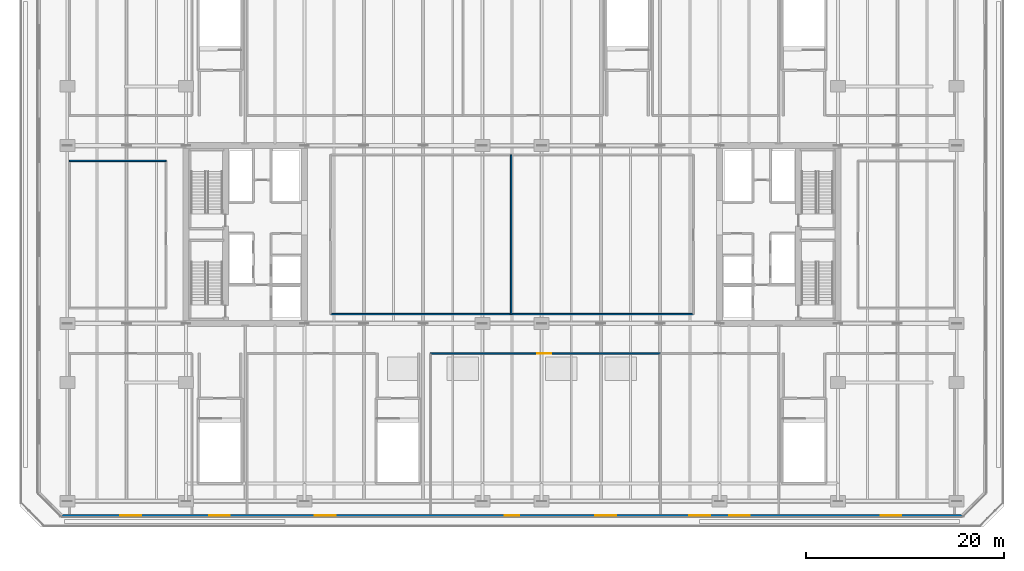
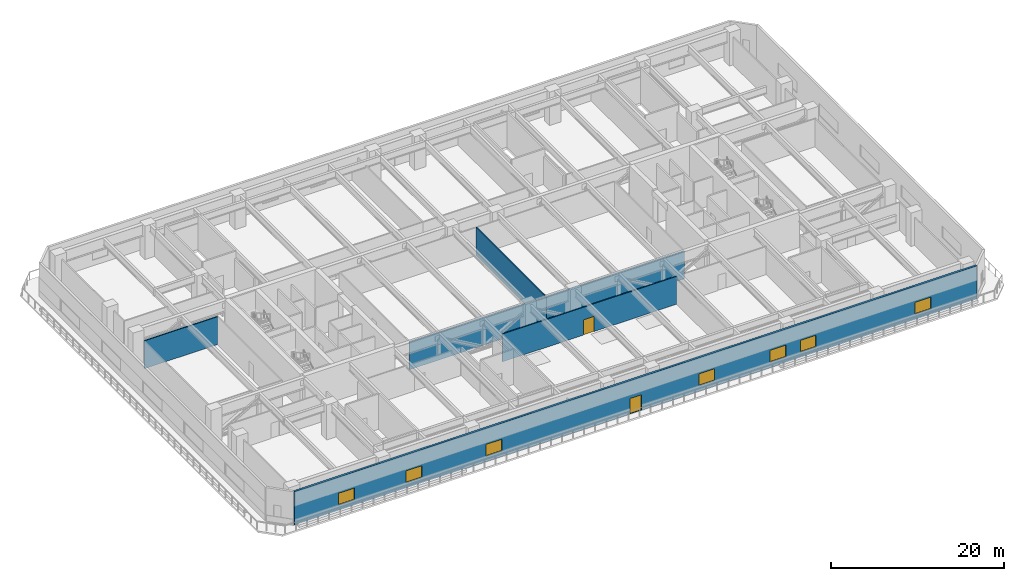
# One storey, part 11 of 25: 7 windows, 6 walls, 2 doors, 9 openings.
"""IFC4 building model written with IfcOpenShell, lengths in metres."""

from ifc_helpers import new_model, si_unit, direction, frame, frame_2d, origin, place, context, subcontext, project, spatial, rectangle, extrude, material, layer, layer_set, type_object, element, fill, save


model = new_model("IFC4")

# Units and contexts
model_context = context("Model", 3, precision=1e-05, world=origin(), true_north=direction((0.0, 1.0)))
body_context = subcontext(model_context, "Body", "Model", "MODEL_VIEW")
ifc_project = project(units=[si_unit("LENGTHUNIT", "METRE"), si_unit("AREAUNIT", "SQUARE_METRE"), si_unit("VOLUMEUNIT", "CUBIC_METRE"), si_unit("PLANEANGLEUNIT", "RADIAN"), si_unit("MASSUNIT", "GRAM", prefix="KILO")], contexts=[model_context])

# Site, building, storey
site_placement = place(None, origin())
site = spatial("IfcSite", under=ifc_project, at=site_placement, CompositionType="ELEMENT")
building_placement = place(site_placement, origin())
building = spatial("IfcBuilding", under=site, at=building_placement, Name="Tanjung Sevakor Pilgrim Tower", CompositionType="ELEMENT")
storey_placement = place(building_placement, frame((0.0, 0.0, 24.090087890625)))
storey = spatial("IfcBuildingStorey", under=building, at=storey_placement, Name="L06", CompositionType="ELEMENT", Elevation=24.090087890625)

# Wall, opening, door
ifc_material_1 = material(Name="Concrete C40/50", Category="concrete")
ifc_layer_1 = layer(ifc_material_1, 0.14990234375)
ifc_layer_set_1 = layer_set([ifc_layer_1], Name="WT-COMP-150")
wall_type_1 = type_object("IfcWallType", Name="WT-COMP-150", PredefinedType="SOLIDWALL", material=ifc_layer_set_1)
wall_1_placement = place(storey_placement, frame((48.75, 21.550048828125, 0.0), z_axis=(0.0, 0.0, 1.0), x_axis=(1.0, 0.0, 0.0)))
wall_1 = element("IfcWall", 1, at=wall_1_placement, inside=storey, type_object=wall_type_1, Name="L06 Partition IW-L06-041", PredefinedType="SOLIDWALL", context=body_context, shape_type="SweptSolid", body=[
    extrude(rectangle(XDim=23.300048828125, YDim=0.14990234375, at=frame_2d((11.64990234375, 0.0))), origin(), (0.0, 0.0, 1.0), 3.929931640625),
])
opening_1_placement = place(wall_1_placement, frame((10.800048828125, 0.0, 0.0)))
opening_1 = element("IfcOpeningElement", 2, at=opening_1_placement, cuts=wall_1, Name="Opening ID-HD1", PredefinedType="OPENING", context=body_context, shape_type="SweptSolid", body=[
    extrude(rectangle(XDim=1.39990234375, YDim=2.14990234375, at=frame_2d((0.699951171875, 1.074951171875))), frame((0.0, 0.0849609375, 0.0), z_axis=(0.0, -1.0, 0.0), x_axis=(1.0, 0.0, 0.0)), (0.0, 0.0, 1.0), 0.169921875),
])
ifc_material_2 = material(Name="Hardwood Timber", Category="wood")
door_type_1 = type_object("IfcDoorType", Name="DT-INT-1400", OperationType="DOUBLE_DOOR_SINGLE_SWING", PredefinedType="DOOR", material=ifc_material_2)
door_1_placement = place(opening_1_placement, origin())
door_1 = element("IfcDoor", 3, at=door_1_placement, inside=storey, type_object=door_type_1, Name="L06 Sanctuary Door", OperationType="SINGLE_SWING_LEFT", OverallHeight=2.14990234375, OverallWidth=1.39990234375, PredefinedType="DOOR", context=body_context, shape_type="SweptSolid", body=[
    extrude(rectangle(XDim=1.39990234375, YDim=2.14990234375, at=frame_2d((0.699951171875, 1.074951171875))), frame((0.0, 0.02490234375, 0.0), z_axis=(0.0, -1.0, 0.0), x_axis=(1.0, 0.0, 0.0)), (0.0, 0.0, 1.0), 0.050048828125),
])
fill(opening_1, door_1)

# Walls
wall_2_placement = place(storey_placement, frame((38.64990234375, 25.550048828125, 0.0), z_axis=(0.0, 0.0, 1.0), x_axis=(1.0, 0.0, 0.0)))
element("IfcWall", 4, at=wall_2_placement, inside=storey, type_object=wall_type_1, Name="L06 Partition IW-L06-054", PredefinedType="SOLIDWALL", context=body_context, shape_type="SweptSolid", body=[
    extrude(rectangle(XDim=18.25, YDim=0.14990234375, at=frame_2d((9.125, 0.0))), origin(), (0.0, 0.0, 1.0), 3.929931640625),
])
wall_3_placement = place(storey_placement, frame((56.89990234375, 25.550048828125, 0.0), z_axis=(0.0, 0.0, 1.0), x_axis=(0.0, 1.0, 0.0)))
element("IfcWall", 5, at=wall_3_placement, inside=storey, type_object=wall_type_1, Name="L06 Partition IW-L06-057", PredefinedType="SOLIDWALL", context=body_context, shape_type="SweptSolid", body=[
    extrude(rectangle(XDim=16.099853515625, YDim=0.14990234375, at=frame_2d((8.0498046875, 0.0))), origin(), (0.0, 0.0, 1.0), 3.929931640625),
])
wall_4_placement = place(storey_placement, frame((56.89990234375, 25.550048828125, 0.0), z_axis=(0.0, 0.0, 1.0), x_axis=(1.0, 0.0, 0.0)))
element("IfcWall", 6, at=wall_4_placement, inside=storey, type_object=wall_type_1, Name="L06 Partition IW-L06-058", PredefinedType="SOLIDWALL", context=body_context, shape_type="SweptSolid", body=[
    extrude(rectangle(XDim=18.4501953125, YDim=0.14990234375, at=frame_2d((9.22509765625, 0.0))), origin(), (0.0, 0.0, 1.0), 3.929931640625),
])
wall_5_placement = place(storey_placement, frame((12.199951171875, 41.050048828125, 0.0), z_axis=(0.0, 0.0, 1.0), x_axis=(1.0, 0.0, 0.0)))
element("IfcWall", 7, at=wall_5_placement, inside=storey, type_object=wall_type_1, Name="L06 Partition IW-L06-062", PredefinedType="SOLIDWALL", context=body_context, shape_type="SweptSolid", body=[
    extrude(rectangle(XDim=9.800048828125, YDim=0.14990234375, at=frame_2d((4.89990234375, 0.0))), origin(), (0.0, 0.0, 1.0), 3.929931640625),
])

# Wall, openings, door, windows
ifc_material_3 = material(Name="Precast concrete C45/55", Category="concrete")
ifc_layer_2 = layer(ifc_material_3, 0.280029296875)
ifc_layer_set_2 = layer_set([ifc_layer_2], Name="WT-EW-STN2")
wall_type_2 = type_object("IfcWallType", Name="WT-EW-STN2", PredefinedType="SOLIDWALL", material=ifc_layer_set_2)
wall_6_placement = place(storey_placement, frame((11.4580078125, 5.139892578125, 0.0), z_axis=(0.0, 0.0, 1.0), x_axis=(1.0, 0.0, 0.0)))
wall_6 = element("IfcWall", 8, at=wall_6_placement, inside=storey, type_object=wall_type_2, Name="L06 MAIN Exterior Wall 1", PredefinedType="SOLIDWALL", context=body_context, shape_type="SweptSolid", body=[
    extrude(rectangle(XDim=91.083984375, YDim=0.280029296875, at=frame_2d((45.5419921875, 0.0))), origin(), (0.0, 0.0, 1.0), 4.7099609375),
])
opening_2_placement = place(wall_6_placement, frame((44.7919921875, 0.0, 0.0)))
opening_2 = element("IfcOpeningElement", 9, at=opening_2_placement, cuts=wall_6, Name="Opening ED-TER-1500", PredefinedType="OPENING", context=body_context, shape_type="SweptSolid", body=[
    extrude(rectangle(XDim=1.5, YDim=2.199951171875, at=frame_2d((0.75, 1.10009765625))), frame((0.0, 0.14990234375, 0.0), z_axis=(0.0, -1.0, 0.0), x_axis=(1.0, 0.0, 0.0)), (0.0, 0.0, 1.0), 0.300048828125),
])
opening_3_placement = place(wall_6_placement, frame((25.58203125, 0.0, 0.780029296875)))
opening_3 = element("IfcOpeningElement", 10, at=opening_3_placement, cuts=wall_6, Name="Opening WN-P2-1660", PredefinedType="OPENING", context=body_context, shape_type="SweptSolid", body=[
    extrude(rectangle(XDim=2.10009765625, YDim=1.659912109375, at=frame_2d((1.050048828125, 0.830078125))), frame((0.0, 0.14990234375, 0.0), z_axis=(0.0, -1.0, 0.0), x_axis=(1.0, 0.0, 0.0)), (0.0, 0.0, 1.0), 0.300048828125),
])
opening_4_placement = place(wall_6_placement, frame((67.511962890625, 0.0, 0.780029296875)))
opening_4 = element("IfcOpeningElement", 11, at=opening_4_placement, cuts=wall_6, Name="Opening WN-P2-1660", PredefinedType="OPENING", context=body_context, shape_type="SweptSolid", body=[
    extrude(rectangle(XDim=2.10009765625, YDim=1.659912109375, at=frame_2d((1.050048828125, 0.830078125))), frame((0.0, 0.14990234375, 0.0), z_axis=(0.0, -1.0, 0.0), x_axis=(1.0, 0.0, 0.0)), (0.0, 0.0, 1.0), 0.300048828125),
])
opening_5_placement = place(wall_6_placement, frame((5.89208984375, 0.0, 0.780029296875)))
opening_5 = element("IfcOpeningElement", 12, at=opening_5_placement, cuts=wall_6, Name="Opening WN-P2-1660", PredefinedType="OPENING", context=body_context, shape_type="SweptSolid", body=[
    extrude(rectangle(XDim=2.10009765625, YDim=1.659912109375, at=frame_2d((1.050048828125, 0.830078125))), frame((0.0, 0.14990234375, 0.0), z_axis=(0.0, -1.0, 0.0), x_axis=(1.0, 0.0, 0.0)), (0.0, 0.0, 1.0), 0.300048828125),
])
opening_6_placement = place(wall_6_placement, frame((82.842041015625, 0.0, 0.780029296875)))
opening_6 = element("IfcOpeningElement", 13, at=opening_6_placement, cuts=wall_6, Name="Opening WN-P2-1660", PredefinedType="OPENING", context=body_context, shape_type="SweptSolid", body=[
    extrude(rectangle(XDim=2.10009765625, YDim=1.659912109375, at=frame_2d((1.050048828125, 0.830078125))), frame((0.0, 0.14990234375, 0.0), z_axis=(0.0, -1.0, 0.0), x_axis=(1.0, 0.0, 0.0)), (0.0, 0.0, 1.0), 0.300048828125),
])
opening_7_placement = place(wall_6_placement, frame((14.89208984375, 0.0, 0.780029296875)))
opening_7 = element("IfcOpeningElement", 14, at=opening_7_placement, cuts=wall_6, Name="Opening WN-P2-1660", PredefinedType="OPENING", context=body_context, shape_type="SweptSolid", body=[
    extrude(rectangle(XDim=2.10009765625, YDim=1.659912109375, at=frame_2d((1.050048828125, 0.830078125))), frame((0.0, 0.14990234375, 0.0), z_axis=(0.0, -1.0, 0.0), x_axis=(1.0, 0.0, 0.0)), (0.0, 0.0, 1.0), 0.300048828125),
])
opening_8_placement = place(wall_6_placement, frame((53.991943359375, 0.0, 0.780029296875)))
opening_8 = element("IfcOpeningElement", 15, at=opening_8_placement, cuts=wall_6, Name="Opening WN-P2-1660", PredefinedType="OPENING", context=body_context, shape_type="SweptSolid", body=[
    extrude(rectangle(XDim=2.10009765625, YDim=1.659912109375, at=frame_2d((1.050048828125, 0.830078125))), frame((0.0, 0.14990234375, 0.0), z_axis=(0.0, -1.0, 0.0), x_axis=(1.0, 0.0, 0.0)), (0.0, 0.0, 1.0), 0.300048828125),
])
opening_9_placement = place(wall_6_placement, frame((63.491943359375, 0.0, 0.780029296875)))
opening_9 = element("IfcOpeningElement", 16, at=opening_9_placement, cuts=wall_6, Name="Opening WN-P2-1660", PredefinedType="OPENING", context=body_context, shape_type="SweptSolid", body=[
    extrude(rectangle(XDim=2.10009765625, YDim=1.659912109375, at=frame_2d((1.050048828125, 0.830078125))), frame((0.0, 0.14990234375, 0.0), z_axis=(0.0, -1.0, 0.0), x_axis=(1.0, 0.0, 0.0)), (0.0, 0.0, 1.0), 0.300048828125),
])
ifc_material_4 = material(Name="Anodised Aluminium and Laminated Glass", Category="aluminium")
door_type_2 = type_object("IfcDoorType", Name="DTYP-ED-TER-1500", OperationType="DOUBLE_DOOR_SINGLE_SWING", PredefinedType="DOOR", material=ifc_material_4)
door_2_placement = place(opening_2_placement, frame((1.5, 0.0, 0.0), z_axis=(0.0, 0.0, 1.0), x_axis=(-1.0, 0.0, 0.0)))
door_2 = element("IfcDoor", 17, at=door_2_placement, inside=storey, type_object=door_type_2, Name="L06 Cascade Terrace Door S", OperationType="SINGLE_SWING_RIGHT", OverallHeight=2.199951171875, OverallWidth=1.5, PredefinedType="DOOR", context=body_context, shape_type="SweptSolid", body=[
    extrude(rectangle(XDim=1.5, YDim=2.199951171875, at=frame_2d((0.75, 1.10009765625))), frame((0.0, 0.02490234375, 0.0), z_axis=(0.0, -1.0, 0.0), x_axis=(1.0, 0.0, 0.0)), (0.0, 0.0, 1.0), 0.050048828125),
])
fill(opening_2, door_2)
ifc_material_5 = material(Name="Thermally Broken Aluminium and Low-E Glass", Category="aluminium")
window_type = type_object("IfcWindowType", Name="WTYP-WN-P2-1660", PartitioningType="DOUBLE_PANEL_VERTICAL", PredefinedType="WINDOW", material=ifc_material_5)
window_1_placement = place(opening_3_placement, origin())
window_1 = element("IfcWindow", 18, at=window_1_placement, inside=storey, type_object=window_type, Name="L06 Facade Window 01", OverallHeight=1.659912109375, OverallWidth=2.10009765625, PartitioningType="SINGLE_PANEL", PredefinedType="WINDOW", context=body_context, shape_type="SweptSolid", body=[
    extrude(rectangle(XDim=2.10009765625, YDim=1.659912109375, at=frame_2d((1.050048828125, 0.830078125))), frame((0.0, 0.030029296875, 0.0), z_axis=(0.0, -1.0, 0.0), x_axis=(1.0, 0.0, 0.0)), (0.0, 0.0, 1.0), 0.06005859375),
])
fill(opening_3, window_1)
window_2_placement = place(opening_4_placement, origin())
window_2 = element("IfcWindow", 19, at=window_2_placement, inside=storey, type_object=window_type, Name="L06 Facade Window 02", OverallHeight=1.659912109375, OverallWidth=2.10009765625, PartitioningType="SINGLE_PANEL", PredefinedType="WINDOW", context=body_context, shape_type="SweptSolid", body=[
    extrude(rectangle(XDim=2.10009765625, YDim=1.659912109375, at=frame_2d((1.050048828125, 0.830078125))), frame((0.0, 0.030029296875, 0.0), z_axis=(0.0, -1.0, 0.0), x_axis=(1.0, 0.0, 0.0)), (0.0, 0.0, 1.0), 0.06005859375),
])
fill(opening_4, window_2)
window_3_placement = place(opening_5_placement, origin())
window_3 = element("IfcWindow", 20, at=window_3_placement, inside=storey, type_object=window_type, Name="L06 Facade Window 03", OverallHeight=1.659912109375, OverallWidth=2.10009765625, PartitioningType="SINGLE_PANEL", PredefinedType="WINDOW", context=body_context, shape_type="SweptSolid", body=[
    extrude(rectangle(XDim=2.10009765625, YDim=1.659912109375, at=frame_2d((1.050048828125, 0.830078125))), frame((0.0, 0.030029296875, 0.0), z_axis=(0.0, -1.0, 0.0), x_axis=(1.0, 0.0, 0.0)), (0.0, 0.0, 1.0), 0.06005859375),
])
fill(opening_5, window_3)
window_4_placement = place(opening_6_placement, origin())
window_4 = element("IfcWindow", 21, at=window_4_placement, inside=storey, type_object=window_type, Name="L06 Facade Window 04", OverallHeight=1.659912109375, OverallWidth=2.10009765625, PartitioningType="SINGLE_PANEL", PredefinedType="WINDOW", context=body_context, shape_type="SweptSolid", body=[
    extrude(rectangle(XDim=2.10009765625, YDim=1.659912109375, at=frame_2d((1.050048828125, 0.830078125))), frame((0.0, 0.030029296875, 0.0), z_axis=(0.0, -1.0, 0.0), x_axis=(1.0, 0.0, 0.0)), (0.0, 0.0, 1.0), 0.06005859375),
])
fill(opening_6, window_4)
window_5_placement = place(opening_7_placement, origin())
window_5 = element("IfcWindow", 22, at=window_5_placement, inside=storey, type_object=window_type, Name="L06 Facade Window 05", OverallHeight=1.659912109375, OverallWidth=2.10009765625, PartitioningType="SINGLE_PANEL", PredefinedType="WINDOW", context=body_context, shape_type="SweptSolid", body=[
    extrude(rectangle(XDim=2.10009765625, YDim=1.659912109375, at=frame_2d((1.050048828125, 0.830078125))), frame((0.0, 0.030029296875, 0.0), z_axis=(0.0, -1.0, 0.0), x_axis=(1.0, 0.0, 0.0)), (0.0, 0.0, 1.0), 0.06005859375),
])
fill(opening_7, window_5)
window_6_placement = place(opening_8_placement, origin())
window_6 = element("IfcWindow", 23, at=window_6_placement, inside=storey, type_object=window_type, Name="L06 Facade Window 06", OverallHeight=1.659912109375, OverallWidth=2.10009765625, PartitioningType="SINGLE_PANEL", PredefinedType="WINDOW", context=body_context, shape_type="SweptSolid", body=[
    extrude(rectangle(XDim=2.10009765625, YDim=1.659912109375, at=frame_2d((1.050048828125, 0.830078125))), frame((0.0, 0.030029296875, 0.0), z_axis=(0.0, -1.0, 0.0), x_axis=(1.0, 0.0, 0.0)), (0.0, 0.0, 1.0), 0.06005859375),
])
fill(opening_8, window_6)
window_7_placement = place(opening_9_placement, origin())
window_7 = element("IfcWindow", 24, at=window_7_placement, inside=storey, type_object=window_type, Name="L06 Facade Window 07", OverallHeight=1.659912109375, OverallWidth=2.10009765625, PartitioningType="SINGLE_PANEL", PredefinedType="WINDOW", context=body_context, shape_type="SweptSolid", body=[
    extrude(rectangle(XDim=2.10009765625, YDim=1.659912109375, at=frame_2d((1.050048828125, 0.830078125))), frame((0.0, 0.030029296875, 0.0), z_axis=(0.0, -1.0, 0.0), x_axis=(1.0, 0.0, 0.0)), (0.0, 0.0, 1.0), 0.06005859375),
])
fill(opening_9, window_7)

save(model, "model.ifc")
